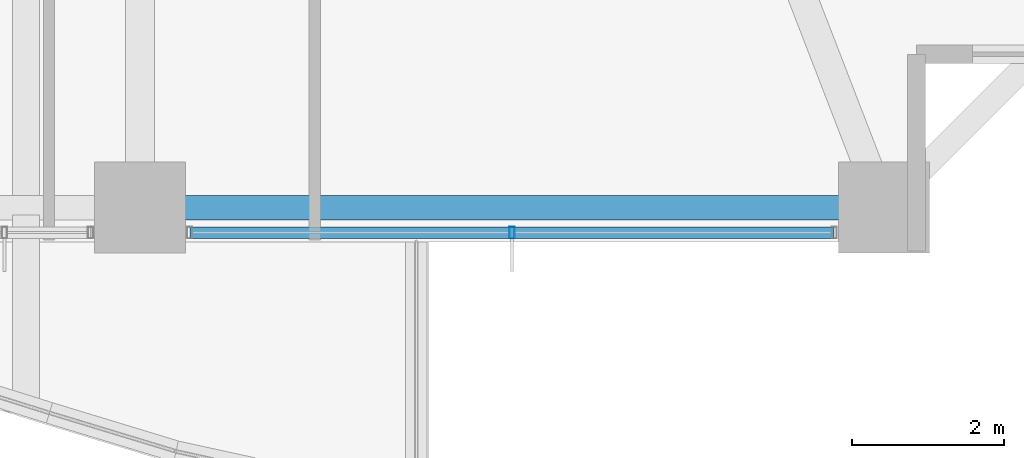
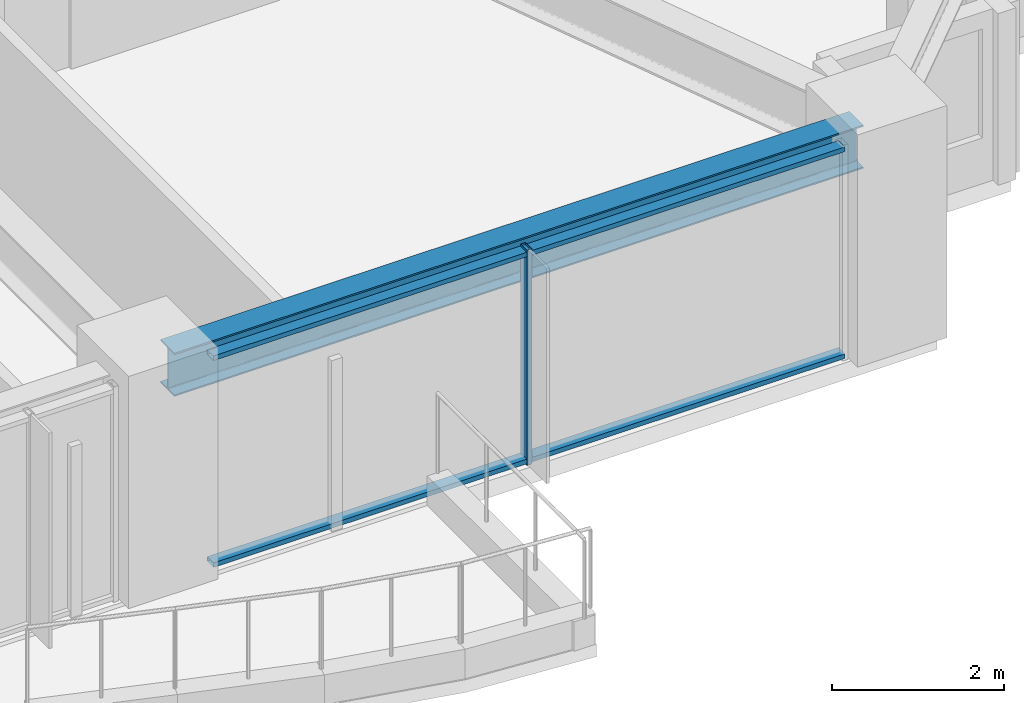
# One storey, part 6 of 38: 3 members, 1 beam, 1 element without a shape of its own.
"""IFC4 building model written with IfcOpenShell, lengths in metres."""

from ifc_helpers import new_model, si_unit, direction, frame, origin, origin_2d, place, context, subcontext, project, spatial, hollow_rectangle, i_section, extrude, material, material_profile, profile_set, type_object, element, aggregate, save


model = new_model("IFC4")

# Units and contexts
model_context = context("Model", 3, precision=1e-05, world=origin(), true_north=direction((0.0, 1.0)))
body_context = subcontext(model_context, "Body", "Model", "MODEL_VIEW")
ifc_project = project(units=[si_unit("LENGTHUNIT", "METRE"), si_unit("AREAUNIT", "SQUARE_METRE"), si_unit("VOLUMEUNIT", "CUBIC_METRE"), si_unit("PLANEANGLEUNIT", "RADIAN"), si_unit("MASSUNIT", "GRAM", prefix="KILO")], contexts=[model_context])

# Site, building, storey
site_placement = place(None, origin())
site = spatial("IfcSite", under=ifc_project, at=site_placement, CompositionType="ELEMENT")
building_placement = place(site_placement, origin())
building = spatial("IfcBuilding", under=site, at=building_placement, Name="Kolvaren Belvedere", CompositionType="ELEMENT")
storey_placement = place(building_placement, frame((0.0, 0.0, 30.39990234375)))
storey = spatial("IfcBuildingStorey", under=building, at=storey_placement, Name="L08", CompositionType="ELEMENT", Elevation=30.39990234375)

# Beam
ifc_material_1 = material(Name="Structural steel ASTM A992 Grade 50", Category="steel")
ifc_material_profile_1 = material_profile(ifc_material_1, i_section(OverallWidth=0.324951171875, OverallDepth=0.615966796875, WebThickness=0.013916015625, FlangeThickness=0.021484375, FilletRadius=0.02001953125, at=origin_2d()), Name="W24X117")
ifc_profile_set_1 = profile_set([ifc_material_profile_1], Name="Structural steel ASTM A992 Grade 50")
beam_type = type_object("IfcBeamType", Name="BM-SPAN-W24X117", PredefinedType="SPANDREL", material=ifc_profile_set_1)
beam_placement = place(storey_placement, frame((4.8701171875, -21.550048828125, 2.752197265625), z_axis=(1.0, 0.0, 0.0), x_axis=(0.0, 1.0, 0.0)))
element("IfcBeam", 1, at=beam_placement, inside=storey, type_object=beam_type, Name="L08 Perimeter Spandrel S3-S4", PredefinedType="SPANDREL", context=body_context, shape_type="SweptSolid", body=[
    extrude(i_section(OverallWidth=0.324951171875, OverallDepth=0.615966796875, WebThickness=0.013916015625, FlangeThickness=0.021484375, FilletRadius=0.02001953125, at=origin_2d()), origin(), (0.0, 0.0, 1.0), 9.259765625),
])

# Curtain wall, members
ifc_material_2 = material(Name="Anodised pale-metal aluminium AA 6063-T6", Category="aluminium")
curtain_wall_type = type_object("IfcCurtainWallType", Name="CW-Z1-LOW", PredefinedType="NOTDEFINED", material=ifc_material_2)
curtain_wall_placement = place(storey_placement, origin())
curtain_wall = element("IfcCurtainWall", 2, at=curtain_wall_placement, inside=storey, type_object=curtain_wall_type, Name="L08 Unitised Curtain Wall FCW-L08-S1-B1", PredefinedType="NOTDEFINED")
ifc_material_3 = material(Name="Anodised pale-metal aluminium AA 6063-T6", Category="aluminium")
ifc_material_profile_2 = material_profile(ifc_material_3, hollow_rectangle(XDim=0.070068359375, YDim=0.14990234375, WallThickness=0.004150390625, at=origin_2d()), Name="ALU-MUL-150X70")
ifc_profile_set_2 = profile_set([ifc_material_profile_2], Name="Anodised pale-metal aluminium AA 6063-T6")
member_type_1 = type_object("IfcMemberType", Name="CW-MUL-150", PredefinedType="MULLION", material=ifc_profile_set_2)
member_1_placement = place(storey_placement, frame((9.5, -21.8798828125, 0.0), z_axis=(0.0, 0.0, 1.0), x_axis=(1.0, 0.0, 0.0)))
member_1 = element("IfcMember", 3, at=member_1_placement, type_object=member_type_1, Name="FCW-L08-S1-B1 Unitised Mullion 2", PredefinedType="MULLION", context=body_context, shape_type="SweptSolid", body=[
    extrude(hollow_rectangle(XDim=0.070068359375, YDim=0.14990234375, WallThickness=0.004150390625, at=origin_2d()), origin(), (0.0, 0.0, 1.0), 3.06005859375),
])
ifc_material_4 = material(Name="Anodised pale-metal aluminium AA 6063-T6", Category="aluminium")
ifc_material_profile_3 = material_profile(ifc_material_4, hollow_rectangle(XDim=0.06494140625, YDim=0.14990234375, WallThickness=0.00390625, at=origin_2d()), Name="ALU-TRN-150X65")
ifc_profile_set_3 = profile_set([ifc_material_profile_3], Name="Anodised pale-metal aluminium AA 6063-T6")
member_type_2 = type_object("IfcMemberType", Name="CW-TRN-150", PredefinedType="USERDEFINED", material=ifc_profile_set_3)
member_2_placement = place(storey_placement, frame((13.7451171875, -21.8798828125, 0.06005859375), z_axis=(-1.0, 0.0, 0.0), x_axis=(0.0, 0.0, 1.0)))
member_2 = element("IfcMember", 4, at=member_2_placement, type_object=member_type_2, Name="FCW-L08-S1-B1 Sill Transom", ObjectType="TRANSOM", PredefinedType="USERDEFINED", context=body_context, shape_type="SweptSolid", body=[
    extrude(hollow_rectangle(XDim=0.06494140625, YDim=0.14990234375, WallThickness=0.00390625, at=origin_2d()), origin(), (0.0, 0.0, 1.0), 8.490234375),
])
member_3_placement = place(storey_placement, frame((13.7451171875, -21.8798828125, 3.0), z_axis=(-1.0, 0.0, 0.0), x_axis=(0.0, 0.0, 1.0)))
member_3 = element("IfcMember", 5, at=member_3_placement, type_object=member_type_2, Name="FCW-L08-S1-B1 Head Transom", ObjectType="TRANSOM", PredefinedType="USERDEFINED", context=body_context, shape_type="SweptSolid", body=[
    extrude(hollow_rectangle(XDim=0.06494140625, YDim=0.14990234375, WallThickness=0.00390625, at=origin_2d()), origin(), (0.0, 0.0, 1.0), 8.490234375),
])
aggregate(curtain_wall, [member_1, member_2, member_3])

save(model, "model.ifc")
